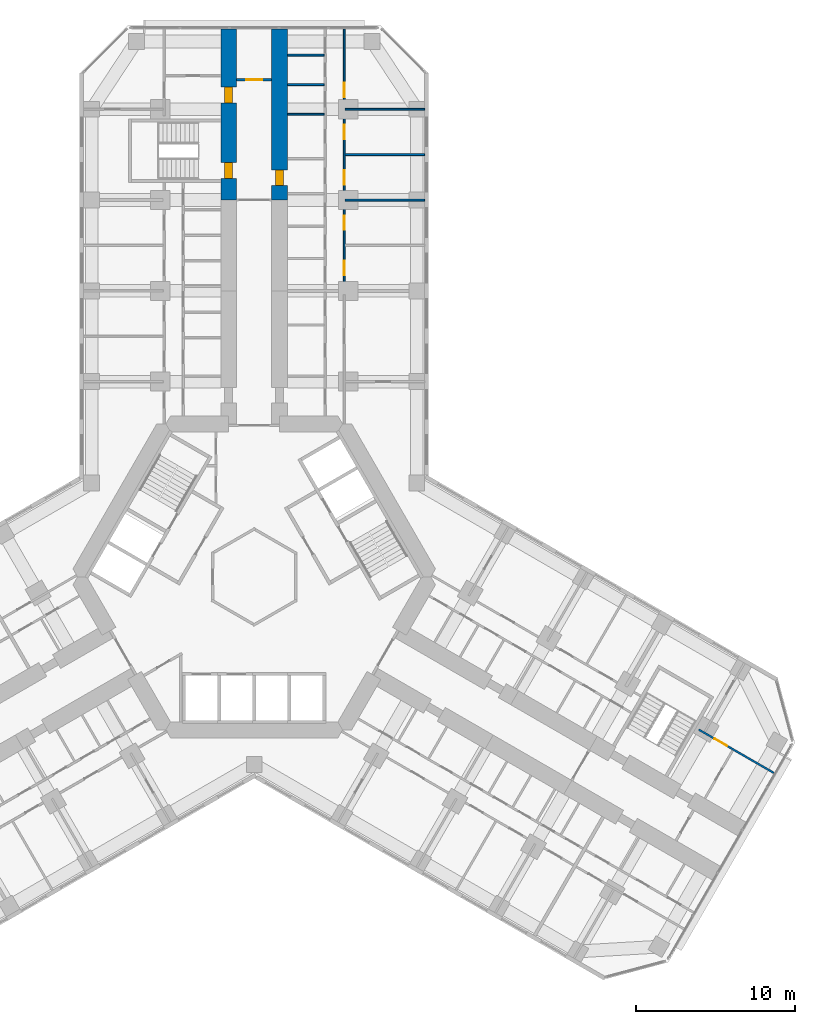
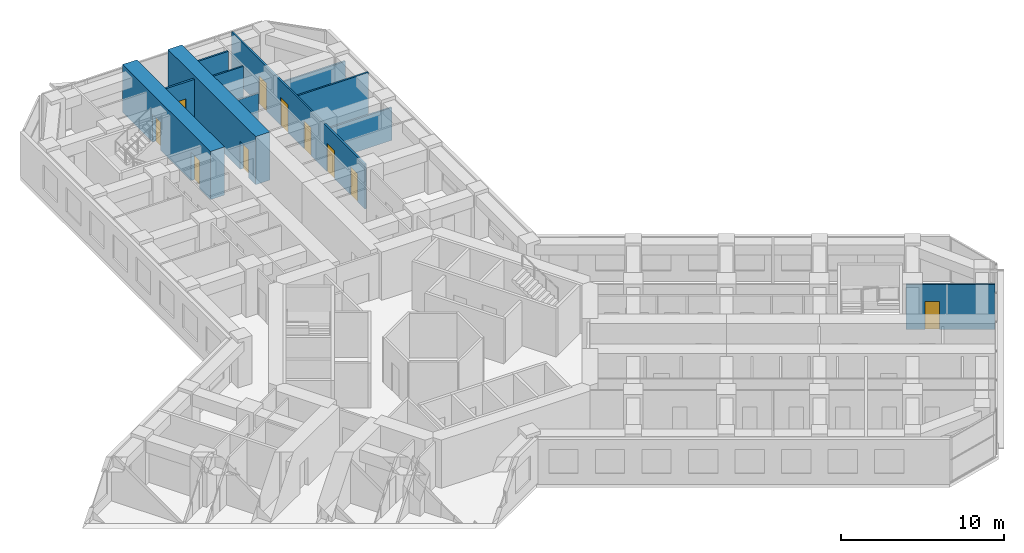
# One storey, part 19 of 21: 11 walls, 10 doors, 10 openings.
"""IFC4 building model written with IfcOpenShell, lengths in metres."""

from ifc_helpers import new_model, si_unit, direction, frame, frame_2d, origin, place, context, subcontext, project, spatial, rectangle, extrude, material, layer, layer_set, type_object, element, fill, save


model = new_model("IFC4")

# Units and contexts
model_context = context("Model", 3, precision=1e-05, world=origin(), true_north=direction((0.0, 1.0)))
body_context = subcontext(model_context, "Body", "Model", "MODEL_VIEW")
ifc_project = project(units=[si_unit("LENGTHUNIT", "METRE"), si_unit("AREAUNIT", "SQUARE_METRE"), si_unit("VOLUMEUNIT", "CUBIC_METRE"), si_unit("PLANEANGLEUNIT", "RADIAN"), si_unit("MASSUNIT", "GRAM", prefix="KILO")], contexts=[model_context])

# Site, building, storey
site_placement = place(None, origin())
site = spatial("IfcSite", under=ifc_project, at=site_placement, CompositionType="ELEMENT")
building_placement = place(site_placement, origin())
building = spatial("IfcBuilding", under=site, at=building_placement, Name="Kosmar Iwan School Tower", CompositionType="ELEMENT")
storey_placement = place(building_placement, frame((0.0, 0.0, 46.60009765625)))
storey = spatial("IfcBuildingStorey", under=building, at=storey_placement, Name="L10", CompositionType="ELEMENT", Elevation=46.60009765625)

# Wall, openings, doors
ifc_material_1 = material(Name="Concrete C50/60", Category="concrete")
ifc_layer_1 = layer(ifc_material_1, 1.0)
ifc_layer_set_1 = layer_set([ifc_layer_1], Name="Corridor buttress wall 1000")
wall_type_1 = type_object("IfcWallType", Name="Corridor buttress wall 1000", PredefinedType="SHEAR", material=ifc_layer_set_1)
wall_1_placement = place(storey_placement, frame((-1.60009765625, 23.64990234375, 0.0), z_axis=(0.0, 0.0, 1.0), x_axis=(0.0, 1.0, 0.0)))
wall_1 = element("IfcWall", 1, at=wall_1_placement, inside=storey, type_object=wall_type_1, Name="Corridor wall AL bay 3", PredefinedType="SHEAR", context=body_context, shape_type="SweptSolid", body=[
    extrude(rectangle(XDim=10.7451171875, YDim=1.0, at=frame_2d((5.37255859375, 0.0))), origin(), (0.0, 0.0, 1.0), 3.599853515625),
])
opening_1_placement = place(wall_1_placement, frame((6.10009765625, 0.0, 0.0)))
opening_1 = element("IfcOpeningElement", 2, at=opening_1_placement, cuts=wall_1, Name="Opening D1", PredefinedType="OPENING", context=body_context, shape_type="SweptSolid", body=[
    extrude(rectangle(XDim=1.0, YDim=2.10009765625, at=frame_2d((0.5, 1.050048828125))), frame((0.0, 0.511962890625, 0.0), z_axis=(0.0, -1.0, 0.0), x_axis=(1.0, 0.0, 0.0)), (0.0, 0.0, 1.0), 1.02392578125),
])
opening_2_placement = place(wall_1_placement, frame((1.35009765625, 0.0, 0.0)))
opening_2 = element("IfcOpeningElement", 3, at=opening_2_placement, cuts=wall_1, Name="Opening D6", PredefinedType="OPENING", context=body_context, shape_type="SweptSolid", body=[
    extrude(rectangle(XDim=1.0, YDim=2.10009765625, at=frame_2d((0.5, 1.050048828125))), frame((0.0, 0.511962890625, 0.0), z_axis=(0.0, -1.0, 0.0), x_axis=(1.0, 0.0, 0.0)), (0.0, 0.0, 1.0), 1.02392578125),
])
ifc_material_2 = material(Name="Timber fire door in steel frame", Category="steel")
door_type_1 = type_object("IfcDoorType", Name="Flat entrance door 1000x2100", OperationType="SINGLE_SWING_LEFT", PredefinedType="DOOR", material=ifc_material_2)
door_1_placement = place(opening_1_placement, origin())
door_1 = element("IfcDoor", 4, at=door_1_placement, inside=storey, type_object=door_type_1, Name="Flat L10-AL2 entrance door", OperationType="SINGLE_SWING_RIGHT", OverallHeight=2.10009765625, OverallWidth=1.0, PredefinedType="DOOR", context=body_context, shape_type="SweptSolid", body=[
    extrude(rectangle(XDim=1.0, YDim=2.10009765625, at=frame_2d((0.5, 1.050048828125))), frame((0.0, 0.25, 0.0), z_axis=(0.0, -1.0, 0.0), x_axis=(1.0, 0.0, 0.0)), (0.0, 0.0, 1.0), 0.5),
])
fill(opening_1, door_1)
ifc_material_3 = material(Name="Steel fire door", Category="steel")
door_type_2 = type_object("IfcDoorType", Name="Stair door 1000x2100", OperationType="SINGLE_SWING_LEFT", PredefinedType="DOOR", material=ifc_material_3)
door_2_placement = place(opening_2_placement, origin())
door_2 = element("IfcDoor", 5, at=door_2_placement, inside=storey, type_object=door_type_2, Name="Stair WS1 door L10", OperationType="SINGLE_SWING_LEFT", OverallHeight=2.10009765625, OverallWidth=1.0, PredefinedType="DOOR", context=body_context, shape_type="SweptSolid", body=[
    extrude(rectangle(XDim=1.0, YDim=2.10009765625, at=frame_2d((0.5, 1.050048828125))), frame((0.0, 0.25, 0.0), z_axis=(0.0, -1.0, 0.0), x_axis=(1.0, 0.0, 0.0)), (0.0, 0.0, 1.0), 0.5),
])
fill(opening_2, door_2)

# Wall, opening, door
wall_2_placement = place(storey_placement, frame((1.60009765625, 23.64990234375, 0.0), z_axis=(0.0, 0.0, 1.0), x_axis=(0.0, 1.0, 0.0)))
wall_2 = element("IfcWall", 6, at=wall_2_placement, inside=storey, type_object=wall_type_1, Name="Corridor wall AR bay 3", PredefinedType="SHEAR", context=body_context, shape_type="SweptSolid", body=[
    extrude(rectangle(XDim=10.7451171875, YDim=1.0, at=frame_2d((5.37255859375, 0.0))), origin(), (0.0, 0.0, 1.0), 3.599853515625),
])
opening_3_placement = place(wall_2_placement, frame((0.89990234375, 0.0, 0.0)))
opening_3 = element("IfcOpeningElement", 7, at=opening_3_placement, cuts=wall_2, Name="Opening D1", PredefinedType="OPENING", context=body_context, shape_type="SweptSolid", body=[
    extrude(rectangle(XDim=1.0, YDim=2.10009765625, at=frame_2d((0.5, 1.050048828125))), frame((0.0, 0.511962890625, 0.0), z_axis=(0.0, -1.0, 0.0), x_axis=(1.0, 0.0, 0.0)), (0.0, 0.0, 1.0), 1.02392578125),
])
door_3_placement = place(opening_3_placement, origin())
door_3 = element("IfcDoor", 8, at=door_3_placement, inside=storey, type_object=door_type_1, Name="Flat L10-AR2 entrance door", OperationType="SINGLE_SWING_LEFT", OverallHeight=2.10009765625, OverallWidth=1.0, PredefinedType="DOOR", context=body_context, shape_type="SweptSolid", body=[
    extrude(rectangle(XDim=1.0, YDim=2.10009765625, at=frame_2d((0.5, 1.050048828125))), frame((0.0, 0.25, 0.0), z_axis=(0.0, -1.0, 0.0), x_axis=(1.0, 0.0, 0.0)), (0.0, 0.0, 1.0), 0.5),
])
fill(opening_3, door_3)

ifc_material_4 = material(Name="Gypsum board on steel studs, fire-rated", Category="steel")
ifc_layer_2 = layer(ifc_material_4, 0.14990234375)
ifc_layer_set_2 = layer_set([ifc_layer_2], Name="Corridor end wall 150")
wall_type_2 = type_object("IfcWallType", Name="Corridor end wall 150", PredefinedType="PARTITIONING", material=ifc_layer_set_2)
wall_3_placement = place(storey_placement, frame((1.10009765625, 31.199951171875, 0.0), z_axis=(0.0, 0.0, 1.0), x_axis=(-1.0, 0.0, 0.0)))
wall_3 = element("IfcWall", 9, at=wall_3_placement, inside=storey, type_object=wall_type_2, Name="Partition L10-A-CE", PredefinedType="PARTITIONING", context=body_context, shape_type="SweptSolid", body=[
    extrude(rectangle(XDim=2.2001953125, YDim=0.14990234375, at=frame_2d((1.10009765625, 0.0))), origin(), (0.0, 0.0, 1.0), 3.349853515625),
])
opening_4_placement = place(wall_3_placement, frame((0.60009765625, 0.0, 0.0)))
opening_4 = element("IfcOpeningElement", 10, at=opening_4_placement, cuts=wall_3, Name="Opening D13", PredefinedType="OPENING", context=body_context, shape_type="SweptSolid", body=[
    extrude(rectangle(XDim=1.0, YDim=2.10009765625, at=frame_2d((0.5, 1.050048828125))), frame((0.0, 0.0869140625, 0.0), z_axis=(0.0, -1.0, 0.0), x_axis=(1.0, 0.0, 0.0)), (0.0, 0.0, 1.0), 0.173828125),
])
ifc_material_5 = material(Name="Timber fire door with vision panel", Category="wood")
door_type_3 = type_object("IfcDoorType", Name="Corridor end door 1000x2100", OperationType="SINGLE_SWING_LEFT", PredefinedType="DOOR", material=ifc_material_5)
door_4_placement = place(opening_4_placement, origin())
door_4 = element("IfcDoor", 11, at=door_4_placement, inside=storey, type_object=door_type_3, Name="Family study room door L10-A", OperationType="SINGLE_SWING_LEFT", OverallHeight=2.10009765625, OverallWidth=1.0, PredefinedType="DOOR", context=body_context, shape_type="SweptSolid", body=[
    extrude(rectangle(XDim=1.0, YDim=2.10009765625, at=frame_2d((0.5, 1.050048828125))), frame((0.0, 0.02490234375, 0.0), z_axis=(0.0, -1.0, 0.0), x_axis=(1.0, 0.0, 0.0)), (0.0, 0.0, 1.0), 0.050048828125),
])
fill(opening_4, door_4)

# Wall, openings, doors
ifc_material_6 = material(Name="Gypsum board on steel studs", Category="steel")
ifc_layer_3 = layer(ifc_material_6, 0.1201171875)
ifc_layer_set_3 = layer_set([ifc_layer_3], Name="Dwelling partition 120")
wall_type_3 = type_object("IfcWallType", Name="Dwelling partition 120", PredefinedType="PARTITIONING", material=ifc_layer_set_3)
wall_4_placement = place(storey_placement, frame((5.64990234375, 18.050048828125, 0.0), z_axis=(0.0, 0.0, 1.0), x_axis=(0.0, 1.0, 0.0)))
wall_4 = element("IfcWall", 12, at=wall_4_placement, inside=storey, type_object=wall_type_3, Name="Partition L10-AR2-W2", PredefinedType="PARTITIONING", context=body_context, shape_type="SweptSolid", body=[
    extrude(rectangle(XDim=16.344970703125, YDim=0.1201171875, at=frame_2d((8.17236328125, 0.0))), origin(), (0.0, 0.0, 1.0), 3.349853515625),
])
opening_5_placement = place(wall_4_placement, frame((0.875, 0.0, 0.0)))
opening_5 = element("IfcOpeningElement", 13, at=opening_5_placement, cuts=wall_4, Name="Opening D2", PredefinedType="OPENING", context=body_context, shape_type="SweptSolid", body=[
    extrude(rectangle(XDim=0.89990234375, YDim=2.10009765625, at=frame_2d((0.449951171875, 1.050048828125))), frame((0.0, 0.072021484375, 0.0), z_axis=(0.0, -1.0, 0.0), x_axis=(1.0, 0.0, 0.0)), (0.0, 0.0, 1.0), 0.14404296875),
])
opening_6_placement = place(wall_4_placement, frame((3.72509765625, 0.0, 0.0)))
opening_6 = element("IfcOpeningElement", 14, at=opening_6_placement, cuts=wall_4, Name="Opening D2", PredefinedType="OPENING", context=body_context, shape_type="SweptSolid", body=[
    extrude(rectangle(XDim=0.89990234375, YDim=2.10009765625, at=frame_2d((0.449951171875, 1.050048828125))), frame((0.0, 0.072021484375, 0.0), z_axis=(0.0, -1.0, 0.0), x_axis=(1.0, 0.0, 0.0)), (0.0, 0.0, 1.0), 0.14404296875),
])
opening_7_placement = place(wall_4_placement, frame((6.574951171875, 0.0, 0.0)))
opening_7 = element("IfcOpeningElement", 15, at=opening_7_placement, cuts=wall_4, Name="Opening D2", PredefinedType="OPENING", context=body_context, shape_type="SweptSolid", body=[
    extrude(rectangle(XDim=0.89990234375, YDim=2.10009765625, at=frame_2d((0.449951171875, 1.050048828125))), frame((0.0, 0.072021484375, 0.0), z_axis=(0.0, -1.0, 0.0), x_axis=(1.0, 0.0, 0.0)), (0.0, 0.0, 1.0), 0.14404296875),
])
opening_8_placement = place(wall_4_placement, frame((9.425048828125, 0.0, 0.0)))
opening_8 = element("IfcOpeningElement", 16, at=opening_8_placement, cuts=wall_4, Name="Opening D2", PredefinedType="OPENING", context=body_context, shape_type="SweptSolid", body=[
    extrude(rectangle(XDim=0.89990234375, YDim=2.10009765625, at=frame_2d((0.449951171875, 1.050048828125))), frame((0.0, 0.072021484375, 0.0), z_axis=(0.0, -1.0, 0.0), x_axis=(1.0, 0.0, 0.0)), (0.0, 0.0, 1.0), 0.14404296875),
])
opening_9_placement = place(wall_4_placement, frame((12.050048828125, 0.0, 0.0)))
opening_9 = element("IfcOpeningElement", 17, at=opening_9_placement, cuts=wall_4, Name="Opening D2", PredefinedType="OPENING", context=body_context, shape_type="SweptSolid", body=[
    extrude(rectangle(XDim=0.89990234375, YDim=2.10009765625, at=frame_2d((0.449951171875, 1.050048828125))), frame((0.0, 0.072021484375, 0.0), z_axis=(0.0, -1.0, 0.0), x_axis=(1.0, 0.0, 0.0)), (0.0, 0.0, 1.0), 0.14404296875),
])
ifc_material_7 = material(Name="Timber door in timber frame", Category="wood")
door_type_4 = type_object("IfcDoorType", Name="Internal door 900x2100", OperationType="SINGLE_SWING_LEFT", PredefinedType="DOOR", material=ifc_material_7)
door_5_placement = place(opening_5_placement, origin())
door_5 = element("IfcDoor", 18, at=door_5_placement, inside=storey, type_object=door_type_4, Name="Bedroom 1 door L10-AR2-F1", OperationType="SINGLE_SWING_LEFT", OverallHeight=2.10009765625, OverallWidth=0.89990234375, PredefinedType="DOOR", context=body_context, shape_type="SweptSolid", body=[
    extrude(rectangle(XDim=0.89990234375, YDim=2.10009765625, at=frame_2d((0.449951171875, 1.050048828125))), frame((0.0, 0.02490234375, 0.0), z_axis=(0.0, -1.0, 0.0), x_axis=(1.0, 0.0, 0.0)), (0.0, 0.0, 1.0), 0.050048828125),
])
fill(opening_5, door_5)
door_6_placement = place(opening_6_placement, origin())
door_6 = element("IfcDoor", 19, at=door_6_placement, inside=storey, type_object=door_type_4, Name="Bedroom 2 door L10-AR2-F2", OperationType="SINGLE_SWING_LEFT", OverallHeight=2.10009765625, OverallWidth=0.89990234375, PredefinedType="DOOR", context=body_context, shape_type="SweptSolid", body=[
    extrude(rectangle(XDim=0.89990234375, YDim=2.10009765625, at=frame_2d((0.449951171875, 1.050048828125))), frame((0.0, 0.02490234375, 0.0), z_axis=(0.0, -1.0, 0.0), x_axis=(1.0, 0.0, 0.0)), (0.0, 0.0, 1.0), 0.050048828125),
])
fill(opening_6, door_6)
door_7_placement = place(opening_7_placement, origin())
door_7 = element("IfcDoor", 20, at=door_7_placement, inside=storey, type_object=door_type_4, Name="Bedroom 3 door L10-AR2-F3", OperationType="SINGLE_SWING_LEFT", OverallHeight=2.10009765625, OverallWidth=0.89990234375, PredefinedType="DOOR", context=body_context, shape_type="SweptSolid", body=[
    extrude(rectangle(XDim=0.89990234375, YDim=2.10009765625, at=frame_2d((0.449951171875, 1.050048828125))), frame((0.0, 0.02490234375, 0.0), z_axis=(0.0, -1.0, 0.0), x_axis=(1.0, 0.0, 0.0)), (0.0, 0.0, 1.0), 0.050048828125),
])
fill(opening_7, door_7)
door_8_placement = place(opening_8_placement, origin())
door_8 = element("IfcDoor", 21, at=door_8_placement, inside=storey, type_object=door_type_4, Name="Study door L10-AR2-F4", OperationType="SINGLE_SWING_RIGHT", OverallHeight=2.10009765625, OverallWidth=0.89990234375, PredefinedType="DOOR", context=body_context, shape_type="SweptSolid", body=[
    extrude(rectangle(XDim=0.89990234375, YDim=2.10009765625, at=frame_2d((0.449951171875, 1.050048828125))), frame((0.0, 0.02490234375, 0.0), z_axis=(0.0, -1.0, 0.0), x_axis=(1.0, 0.0, 0.0)), (0.0, 0.0, 1.0), 0.050048828125),
])
fill(opening_8, door_8)
door_9_placement = place(opening_9_placement, origin())
door_9 = element("IfcDoor", 22, at=door_9_placement, inside=storey, type_object=door_type_4, Name="Living room and kitchen door L10-AR2-F5", OperationType="SINGLE_SWING_RIGHT", OverallHeight=2.10009765625, OverallWidth=0.89990234375, PredefinedType="DOOR", context=body_context, shape_type="SweptSolid", body=[
    extrude(rectangle(XDim=0.89990234375, YDim=2.10009765625, at=frame_2d((0.449951171875, 1.050048828125))), frame((0.0, 0.02490234375, 0.0), z_axis=(0.0, -1.0, 0.0), x_axis=(1.0, 0.0, 0.0)), (0.0, 0.0, 1.0), 0.050048828125),
])
fill(opening_9, door_9)

# Walls
wall_5_placement = place(storey_placement, frame((5.7099609375, 23.64990234375, 0.0), z_axis=(0.0, 0.0, 1.0), x_axis=(1.0, 0.0, 0.0)))
element("IfcWall", 23, at=wall_5_placement, inside=storey, type_object=wall_type_3, Name="Partition L10-AR2-X2", PredefinedType="PARTITIONING", context=body_context, shape_type="SweptSolid", body=[
    extrude(rectangle(XDim=4.989990234375, YDim=0.1201171875, at=frame_2d((2.4951171875, 0.0))), origin(), (0.0, 0.0, 1.0), 2.449951171875),
])
wall_6_placement = place(storey_placement, frame((5.7099609375, 26.5, 0.0), z_axis=(0.0, 0.0, 1.0), x_axis=(1.0, 0.0, 0.0)))
element("IfcWall", 24, at=wall_6_placement, inside=storey, type_object=wall_type_3, Name="Partition L10-AR2-X3", PredefinedType="PARTITIONING", context=body_context, shape_type="SweptSolid", body=[
    extrude(rectangle(XDim=4.989990234375, YDim=0.1201171875, at=frame_2d((2.4951171875, 0.0))), origin(), (0.0, 0.0, 1.0), 3.349853515625),
])
wall_7_placement = place(storey_placement, frame((5.7099609375, 29.35009765625, 0.0), z_axis=(0.0, 0.0, 1.0), x_axis=(1.0, 0.0, 0.0)))
element("IfcWall", 25, at=wall_7_placement, inside=storey, type_object=wall_type_3, Name="Partition L10-AR2-X4", PredefinedType="PARTITIONING", context=body_context, shape_type="SweptSolid", body=[
    extrude(rectangle(XDim=4.989990234375, YDim=0.1201171875, at=frame_2d((2.4951171875, 0.0))), origin(), (0.0, 0.0, 1.0), 2.449951171875),
])
wall_8_placement = place(storey_placement, frame((2.10009765625, 29.033447265625, 0.0), z_axis=(0.0, 0.0, 1.0), x_axis=(1.0, 0.0, 0.0)))
element("IfcWall", 26, at=wall_8_placement, inside=storey, type_object=wall_type_3, Name="Partition L10-AR2-Y5", PredefinedType="PARTITIONING", context=body_context, shape_type="SweptSolid", body=[
    extrude(rectangle(XDim=2.289794921875, YDim=0.1201171875, at=frame_2d((1.14501953125, 0.0))), origin(), (0.0, 0.0, 1.0), 2.449951171875),
])
for number, where, z_axis, x_axis, name in (
    (27, (2.10009765625, 30.888916015625, 0.0), (0.0, 0.0, 1.0), (1.0, 0.0, 0.0), "Partition L10-AR2-Y6"),
    (28, (2.10009765625, 32.744384765625, 0.0), (0.0, 0.0, 1.0), (1.0, 0.0, 0.0), "Partition L10-AR2-Y7"),
):
    element("IfcWall", number, at=place(storey_placement, frame(where, z_axis=z_axis, x_axis=x_axis)), inside=storey, type_object=wall_type_3, Name=name, PredefinedType="PARTITIONING", context=body_context, shape_type="SweptSolid", body=[
        extrude(rectangle(XDim=2.289794921875, YDim=0.1201171875, at=frame_2d((1.14501953125, 0.0))), origin(), (0.0, 0.0, 1.0), 3.349853515625),
    ])

# Wall, opening, door
wall_9_placement = place(storey_placement, frame((27.896484375, -9.58203125, 0.0), z_axis=(0.0, 0.0, 1.0), x_axis=(0.866035508231, -0.499982498177, 0.0)))
wall_9 = element("IfcWall", 29, at=wall_9_placement, inside=storey, type_object=wall_type_3, Name="Partition L10-CL2-TW", PredefinedType="PARTITIONING", context=body_context, shape_type="SweptSolid", body=[
    extrude(rectangle(XDim=5.445068359375, YDim=0.1201171875, at=frame_2d((2.72265625, 0.0))), origin(), (0.0, 0.0, 1.0), 3.349853515625),
])
opening_10_placement = place(wall_9_placement, frame((1.14990234375, 0.0, 0.0)))
opening_10 = element("IfcOpeningElement", 30, at=opening_10_placement, cuts=wall_9, Name="Opening D2", PredefinedType="OPENING", context=body_context, shape_type="SweptSolid", body=[
    extrude(rectangle(XDim=0.89990234375, YDim=2.10009765625, at=frame_2d((0.449951171875, 1.050048828125))), frame((0.0, 0.072021484375, 0.0), z_axis=(0.0, -1.0, 0.0), x_axis=(1.0, 0.0, 0.0)), (0.0, 0.0, 1.0), 0.14404296875),
])
door_10_placement = place(opening_10_placement, origin())
door_10 = element("IfcDoor", 31, at=door_10_placement, inside=storey, type_object=door_type_4, Name="Entrance hall door L10-CL2-T3", OperationType="SINGLE_SWING_LEFT", OverallHeight=2.10009765625, OverallWidth=0.89990234375, PredefinedType="DOOR", context=body_context, shape_type="SweptSolid", body=[
    extrude(rectangle(XDim=0.89990234375, YDim=2.10009765625, at=frame_2d((0.449951171875, 1.050048828125))), frame((0.0, 0.02490234375, 0.0), z_axis=(0.0, -1.0, 0.0), x_axis=(1.0, 0.0, 0.0)), (0.0, 0.0, 1.0), 0.050048828125),
])
fill(opening_10, door_10)

save(model, "model.ifc")
